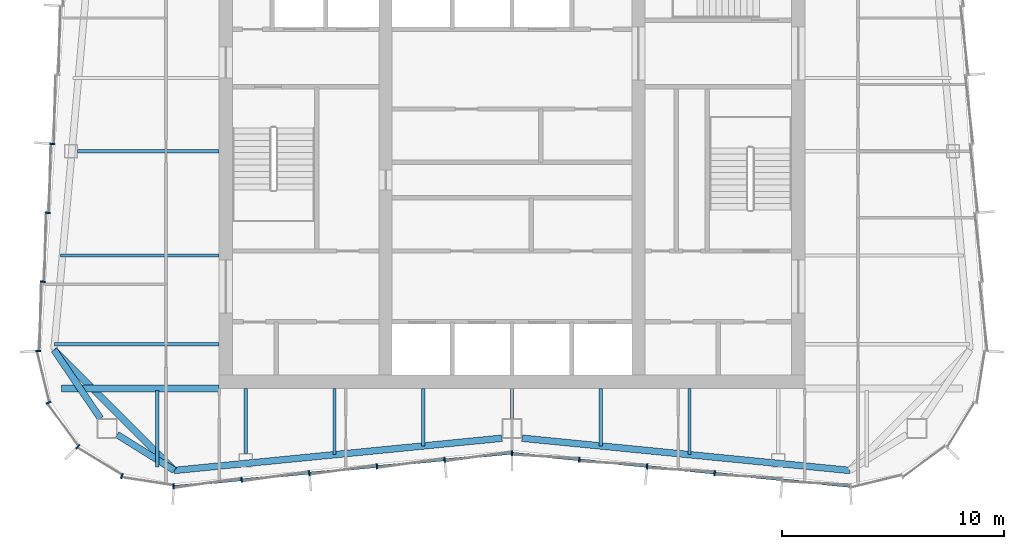
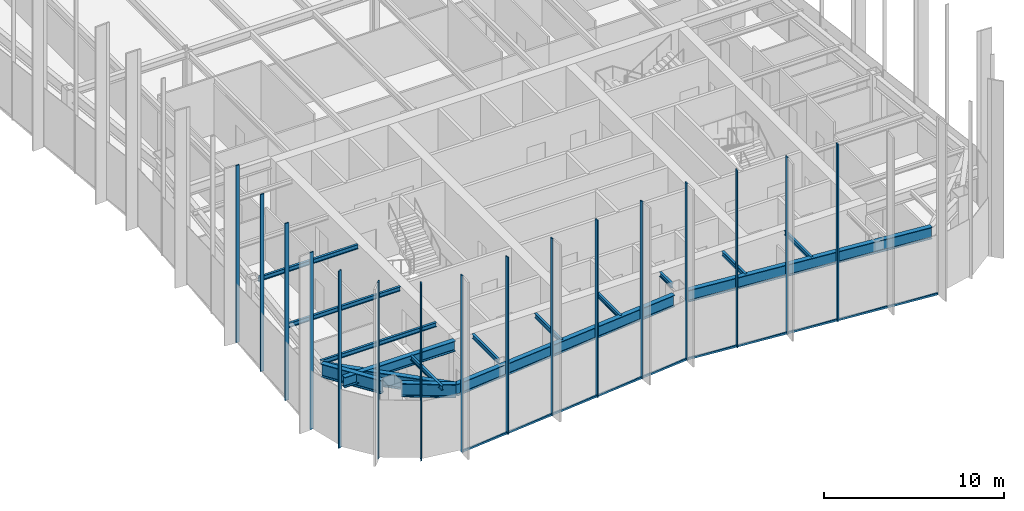
# One storey, part 3 of 13: 18 members, 16 beams, 3 elements without a shape of their own.
"""IFC4 building model written with IfcOpenShell, lengths in metres."""

from ifc_helpers import new_model, si_unit, direction, frame, origin, origin_2d, place, context, subcontext, project, spatial, rectangle, i_section, extrude, material, material_profile, profile_set, type_object, element, aggregate, save


model = new_model("IFC4")

# Units and contexts
model_context = context("Model", 3, precision=1e-05, world=origin(), true_north=direction((0.0, 1.0)))
body_context = subcontext(model_context, "Body", "Model", "MODEL_VIEW")
ifc_project = project(units=[si_unit("LENGTHUNIT", "METRE"), si_unit("AREAUNIT", "SQUARE_METRE"), si_unit("VOLUMEUNIT", "CUBIC_METRE"), si_unit("PLANEANGLEUNIT", "RADIAN"), si_unit("MASSUNIT", "GRAM", prefix="KILO")], contexts=[model_context])

# Site, building, storey
site_placement = place(None, origin())
site = spatial("IfcSite", under=ifc_project, at=site_placement, CompositionType="ELEMENT")
building_placement = place(site_placement, origin())
building = spatial("IfcBuilding", under=site, at=building_placement, Name="Verdant Reach Tower", CompositionType="ELEMENT")
storey_placement = place(building_placement, frame((0.0, 0.0, 294.0)))
storey = spatial("IfcBuildingStorey", under=building, at=storey_placement, Name="L67", CompositionType="ELEMENT", Elevation=294.0)

# Curtain wall, members
ifc_material_1 = material(Name="Anodised aluminium", Category="aluminium")
curtain_wall_type = type_object("IfcCurtainWallType", Name="EN-CW SYSTEM Z5", PredefinedType="NOTDEFINED", material=ifc_material_1)
curtain_wall_1_placement = place(storey_placement, origin())
curtain_wall_1 = element("IfcCurtainWall", 1, at=curtain_wall_1_placement, inside=storey, type_object=curtain_wall_type, Name="Curtain wall west, L67", PredefinedType="NOTDEFINED")
ifc_material_profile_1 = material_profile(ifc_material_1, rectangle(XDim=0.22998046875, YDim=0.070068359375, at=origin_2d()), Name="Mullion 70x230")
ifc_profile_set_1 = profile_set([ifc_material_profile_1], Name="Anodised aluminium")
member_type_1 = type_object("IfcMemberType", Name="EN-MULLION Z5", PredefinedType="MULLION", material=ifc_profile_set_1)
member_1_placement = place(storey_placement, frame((-20.721923828125, 28.829345703125, -0.35009765625), z_axis=(0.0, 0.0, 1.0), x_axis=(-0.997630328423, 0.068802091615, 0.0)))
member_1 = element("IfcMember", 2, at=member_1_placement, type_object=member_type_1, Name="Mullion west face part 2 5, L67", PredefinedType="MULLION", context=body_context, shape_type="SweptSolid", body=[
    extrude(rectangle(XDim=0.22998046875, YDim=0.070068359375, at=origin_2d()), origin(), (0.0, 0.0, 1.0), 12.0),
])
member_2_placement = place(storey_placement, frame((-20.93603515625, 25.72216796875, -0.35009765625), z_axis=(0.0, 0.0, 1.0), x_axis=(-0.997630328423, 0.068802091615, 0.0)))
member_2 = element("IfcMember", 3, at=member_2_placement, type_object=member_type_1, Name="Mullion west face part 2 6, L67", PredefinedType="MULLION", context=body_context, shape_type="SweptSolid", body=[
    extrude(rectangle(XDim=0.22998046875, YDim=0.070068359375, at=origin_2d()), origin(), (0.0, 0.0, 1.0), 12.0),
])
member_3_placement = place(storey_placement, frame((-21.150390625, 22.614990234375, -0.35009765625), z_axis=(0.0, 0.0, 1.0), x_axis=(-0.997630328423, 0.068802091615, 0.0)))
member_3 = element("IfcMember", 4, at=member_3_placement, type_object=member_type_1, Name="Mullion west face part 2 7, L67", PredefinedType="MULLION", context=body_context, shape_type="SweptSolid", body=[
    extrude(rectangle(XDim=0.22998046875, YDim=0.070068359375, at=origin_2d()), origin(), (0.0, 0.0, 1.0), 12.0),
])
aggregate(curtain_wall_1, [member_1, member_2, member_3])

curtain_wall_2_placement = place(storey_placement, origin())
curtain_wall_2 = element("IfcCurtainWall", 5, at=curtain_wall_2_placement, inside=storey, type_object=curtain_wall_type, Name="Curtain wall south-west corner, L67", PredefinedType="NOTDEFINED")
member_4_placement = place(storey_placement, frame((-21.36474609375, 19.49267578125, -0.35009765625), z_axis=(0.0, 0.0, 1.0), x_axis=(-0.997969180898, -0.063698618332, 0.0)))
member_4 = element("IfcMember", 6, at=member_4_placement, type_object=member_type_1, Name="Mullion south-west corner 1, L67", PredefinedType="MULLION", context=body_context, shape_type="SweptSolid", body=[
    extrude(rectangle(XDim=0.22998046875, YDim=0.070068359375, at=origin_2d()), origin(), (0.0, 0.0, 1.0), 12.0),
])
member_5_placement = place(storey_placement, frame((-20.899658203125, 17.159912109375, -0.35009765625), z_axis=(0.0, 0.0, 1.0), x_axis=(-0.923875215753, -0.382693853776, 0.0)))
member_5 = element("IfcMember", 7, at=member_5_placement, type_object=member_type_1, Name="Mullion south-west corner 2, L67", PredefinedType="MULLION", context=body_context, shape_type="SweptSolid", body=[
    extrude(rectangle(XDim=0.22998046875, YDim=0.070068359375, at=origin_2d()), origin(), (0.0, 0.0, 1.0), 12.0),
])
member_6_placement = place(storey_placement, frame((-19.573974609375, 15.176025390625, -0.35009765625), z_axis=(0.0, 0.0, 1.0), x_axis=(-0.707106781187, -0.707106781187, 0.0)))
member_6 = element("IfcMember", 8, at=member_6_placement, type_object=member_type_1, Name="Mullion south-west corner 3, L67", PredefinedType="MULLION", context=body_context, shape_type="SweptSolid", body=[
    extrude(rectangle(XDim=0.22998046875, YDim=0.070068359375, at=origin_2d()), origin(), (0.0, 0.0, 1.0), 12.0),
])
member_7_placement = place(storey_placement, frame((-17.590087890625, 13.850341796875, -0.35009765625), z_axis=(0.0, 0.0, 1.0), x_axis=(-0.382693853776, -0.923875215753, 0.0)))
member_7 = element("IfcMember", 9, at=member_7_placement, type_object=member_type_1, Name="Mullion south-west corner 4, L67", PredefinedType="MULLION", context=body_context, shape_type="SweptSolid", body=[
    extrude(rectangle(XDim=0.22998046875, YDim=0.070068359375, at=origin_2d()), origin(), (0.0, 0.0, 1.0), 12.0),
])
aggregate(curtain_wall_2, [member_4, member_5, member_6, member_7])

curtain_wall_3_placement = place(storey_placement, origin())
curtain_wall_3 = element("IfcCurtainWall", 10, at=curtain_wall_3_placement, inside=storey, type_object=curtain_wall_type, Name="Curtain wall south, L67", PredefinedType="NOTDEFINED")
member_8_placement = place(storey_placement, frame((-15.255615234375, 13.38525390625, -0.35009765625), z_axis=(0.0, 0.0, 1.0), x_axis=(-0.049127596288, -0.998792510626, 0.0)))
member_8 = element("IfcMember", 11, at=member_8_placement, type_object=member_type_1, Name="Mullion south face part 1 1, L67", PredefinedType="MULLION", context=body_context, shape_type="SweptSolid", body=[
    extrude(rectangle(XDim=0.22998046875, YDim=0.070068359375, at=origin_2d()), origin(), (0.0, 0.0, 1.0), 12.0),
])
member_9_placement = place(storey_placement, frame((-12.188720703125, 13.685546875, -0.35009765625), z_axis=(0.0, 0.0, 1.0), x_axis=(0.09788826992, -0.995197410875, 0.0)))
member_9 = element("IfcMember", 12, at=member_9_placement, type_object=member_type_1, Name="Mullion south face part 1 2, L67", PredefinedType="MULLION", context=body_context, shape_type="SweptSolid", body=[
    extrude(rectangle(XDim=0.22998046875, YDim=0.070068359375, at=origin_2d()), origin(), (0.0, 0.0, 1.0), 12.0),
])
member_10_placement = place(storey_placement, frame((-9.138671875, 13.985595703125, -0.35009765625), z_axis=(0.0, 0.0, 1.0), x_axis=(0.09788826992, -0.995197410875, 0.0)))
member_10 = element("IfcMember", 13, at=member_10_placement, type_object=member_type_1, Name="Mullion south face part 1 3, L67", PredefinedType="MULLION", context=body_context, shape_type="SweptSolid", body=[
    extrude(rectangle(XDim=0.22998046875, YDim=0.070068359375, at=origin_2d()), origin(), (0.0, 0.0, 1.0), 12.0),
])
member_11_placement = place(storey_placement, frame((-6.088623046875, 14.28564453125, -0.35009765625), z_axis=(0.0, 0.0, 1.0), x_axis=(0.09788826992, -0.995197410875, 0.0)))
member_11 = element("IfcMember", 14, at=member_11_placement, type_object=member_type_1, Name="Mullion south face part 1 4, L67", PredefinedType="MULLION", context=body_context, shape_type="SweptSolid", body=[
    extrude(rectangle(XDim=0.22998046875, YDim=0.070068359375, at=origin_2d()), origin(), (0.0, 0.0, 1.0), 12.0),
])
member_12_placement = place(storey_placement, frame((-3.038818359375, 14.58544921875, -0.35009765625), z_axis=(0.0, 0.0, 1.0), x_axis=(0.09788826992, -0.995197410875, 0.0)))
member_12 = element("IfcMember", 15, at=member_12_placement, type_object=member_type_1, Name="Mullion south face part 1 5, L67", PredefinedType="MULLION", context=body_context, shape_type="SweptSolid", body=[
    extrude(rectangle(XDim=0.22998046875, YDim=0.070068359375, at=origin_2d()), origin(), (0.0, 0.0, 1.0), 12.0),
])
member_13_placement = place(storey_placement, frame((0.0, 14.885009765625, -0.35009765625), z_axis=(0.0, 0.0, 1.0), x_axis=(0.0, -1.0, 0.0)))
member_13 = element("IfcMember", 16, at=member_13_placement, type_object=member_type_1, Name="Mullion south face part 2 1, L67", PredefinedType="MULLION", context=body_context, shape_type="SweptSolid", body=[
    extrude(rectangle(XDim=0.22998046875, YDim=0.070068359375, at=origin_2d()), origin(), (0.0, 0.0, 1.0), 12.0),
])
member_14_placement = place(storey_placement, frame((3.038818359375, 14.58544921875, -0.35009765625), z_axis=(0.0, 0.0, 1.0), x_axis=(-0.09788826992, -0.995197410875, 0.0)))
member_14 = element("IfcMember", 17, at=member_14_placement, type_object=member_type_1, Name="Mullion south face part 2 2, L67", PredefinedType="MULLION", context=body_context, shape_type="SweptSolid", body=[
    extrude(rectangle(XDim=0.22998046875, YDim=0.070068359375, at=origin_2d()), origin(), (0.0, 0.0, 1.0), 12.0),
])
member_15_placement = place(storey_placement, frame((6.088623046875, 14.28564453125, -0.35009765625), z_axis=(0.0, 0.0, 1.0), x_axis=(-0.09788826992, -0.995197410875, 0.0)))
member_15 = element("IfcMember", 18, at=member_15_placement, type_object=member_type_1, Name="Mullion south face part 2 3, L67", PredefinedType="MULLION", context=body_context, shape_type="SweptSolid", body=[
    extrude(rectangle(XDim=0.22998046875, YDim=0.070068359375, at=origin_2d()), origin(), (0.0, 0.0, 1.0), 12.0),
])
member_16_placement = place(storey_placement, frame((9.138671875, 13.985595703125, -0.35009765625), z_axis=(0.0, 0.0, 1.0), x_axis=(-0.09788826992, -0.995197410875, 0.0)))
member_16 = element("IfcMember", 19, at=member_16_placement, type_object=member_type_1, Name="Mullion south face part 2 4, L67", PredefinedType="MULLION", context=body_context, shape_type="SweptSolid", body=[
    extrude(rectangle(XDim=0.22998046875, YDim=0.070068359375, at=origin_2d()), origin(), (0.0, 0.0, 1.0), 12.0),
])
ifc_material_profile_2 = material_profile(ifc_material_1, rectangle(XDim=0.10009765625, YDim=0.1298828125, at=origin_2d()), Name="Transom 130x100")
ifc_profile_set_2 = profile_set([ifc_material_profile_2], Name="Anodised aluminium")
member_type_2 = type_object("IfcMemberType", Name="EN-TRANSOM Z5", PredefinedType="USERDEFINED", material=ifc_profile_set_2)
member_17_placement = place(storey_placement, frame((-15.220703125, 13.388671875, -0.284912109375), z_axis=(0.99520229006, 0.097838652171, 0.0), x_axis=(-0.097838652171, 0.99520229006, 0.0)))
member_17 = element("IfcMember", 20, at=member_17_placement, type_object=member_type_2, Name="Transom south face part 1 1.1, L67", ObjectType="TRANSOM", PredefinedType="USERDEFINED", context=body_context, shape_type="SweptSolid", body=[
    extrude(rectangle(XDim=0.10009765625, YDim=0.1298828125, at=origin_2d()), origin(), (0.0, 0.0, 1.0), 15.259033203125),
])
member_18_placement = place(storey_placement, frame((0.034912109375, 14.881591796875, -0.284912109375), z_axis=(0.99520229006, -0.097838652171, 0.0), x_axis=(0.097838652171, 0.99520229006, 0.0)))
member_18 = element("IfcMember", 21, at=member_18_placement, type_object=member_type_2, Name="Transom south face part 2 1.1, L67", ObjectType="TRANSOM", PredefinedType="USERDEFINED", context=body_context, shape_type="SweptSolid", body=[
    extrude(rectangle(XDim=0.10009765625, YDim=0.1298828125, at=origin_2d()), origin(), (0.0, 0.0, 1.0), 15.259033203125),
])
aggregate(curtain_wall_3, [member_8, member_9, member_10, member_11, member_12, member_17, member_13, member_14, member_15, member_16, member_18])

# Beams
ifc_material_2 = material(Name="Steel S355", Category="steel")
ifc_material_profile_3 = material_profile(ifc_material_2, i_section(OverallWidth=0.300048828125, OverallDepth=0.699951171875, WebThickness=0.01708984375, FlangeThickness=0.031982421875, FilletRadius=0.027099609375, at=origin_2d()), Name="HEB 700")
ifc_profile_set_3 = profile_set([ifc_material_profile_3], Name="Steel S355")
beam_type_1 = type_object("IfcBeamType", Name="ST-BEAM-HEB700", PredefinedType="BEAM", material=ifc_profile_set_3)
beam_1_placement = place(storey_placement, frame((-13.199951171875, 17.800048828125, 3.52001953125), z_axis=(-1.0, 0.0, 0.0), x_axis=(0.0, -1.0, 0.0)))
element("IfcBeam", 22, at=beam_1_placement, inside=storey, type_object=beam_type_1, Name="Trimmer beam, L67", PredefinedType="BEAM", context=body_context, shape_type="SweptSolid", body=[
    extrude(i_section(OverallWidth=0.300048828125, OverallDepth=0.699951171875, WebThickness=0.01708984375, FlangeThickness=0.031982421875, FilletRadius=0.027099609375, at=origin_2d()), origin(), (0.0, 0.0, 1.0), 7.10009765625),
])
ifc_material_profile_4 = material_profile(ifc_material_2, i_section(OverallWidth=0.302001953125, OverallDepth=0.909912109375, WebThickness=0.02099609375, FlangeThickness=0.0400390625, FilletRadius=0.030029296875, at=origin_2d()), Name="HEM 900")
ifc_profile_set_4 = profile_set([ifc_material_profile_4], Name="Steel S355")
beam_type_2 = type_object("IfcBeamType", Name="ST-BEAM-HEM900", PredefinedType="BEAM", material=ifc_profile_set_4)
beam_2_placement = place(storey_placement, frame((-17.800048828125, 15.71875, 3.4150390625), z_axis=(0.847903624467, -0.530150397166, 0.0), x_axis=(0.530150397166, 0.847903624467, 0.0)))
element("IfcBeam", 23, at=beam_2_placement, inside=storey, type_object=beam_type_2, Name="Column stub beam, L67", PredefinedType="BEAM", context=body_context, shape_type="SweptSolid", body=[
    extrude(i_section(OverallWidth=0.302001953125, OverallDepth=0.909912109375, WebThickness=0.02099609375, FlangeThickness=0.0400390625, FilletRadius=0.030029296875, at=origin_2d()), origin(), (0.0, 0.0, 1.0), 3.042724609375),
])
beam_3_placement = place(storey_placement, frame((-18.5546875, 16.449951171875, 3.4150390625), z_axis=(-0.560667226688, 0.828041219335, 0.0), x_axis=(-0.828041219335, -0.560667226688, 0.0)))
element("IfcBeam", 24, at=beam_3_placement, inside=storey, type_object=beam_type_2, Name="Column stub beam, L67", PredefinedType="BEAM", context=body_context, shape_type="SweptSolid", body=[
    extrude(i_section(OverallWidth=0.302001953125, OverallDepth=0.909912109375, WebThickness=0.02099609375, FlangeThickness=0.0400390625, FilletRadius=0.030029296875, at=origin_2d()), origin(), (0.0, 0.0, 1.0), 3.72998046875),
])
ifc_material_profile_5 = material_profile(ifc_material_2, i_section(OverallWidth=0.14990234375, OverallDepth=0.300048828125, WebThickness=0.007080078125, FlangeThickness=0.0107421875, FilletRadius=0.014892578125, at=origin_2d()), Name="IPE 300")
ifc_profile_set_5 = profile_set([ifc_material_profile_5], Name="Steel S355")
beam_type_3 = type_object("IfcBeamType", Name="ST-JOIST-IPE300", PredefinedType="JOIST", material=ifc_profile_set_5)
beam_4_placement = place(storey_placement, frame((-16.0, 17.699951171875, 3.719970703125), z_axis=(0.0, -1.0, 0.0), x_axis=(1.0, 0.0, 0.0)))
element("IfcBeam", 25, at=beam_4_placement, inside=storey, type_object=beam_type_3, Name="Floor joist, L67", PredefinedType="JOIST", context=body_context, shape_type="SweptSolid", body=[
    extrude(i_section(OverallWidth=0.14990234375, OverallDepth=0.300048828125, WebThickness=0.007080078125, FlangeThickness=0.0107421875, FilletRadius=0.014892578125, at=origin_2d()), origin(), (0.0, 0.0, 1.0), 3.43896484375),
])
beam_5_placement = place(storey_placement, frame((-12.0, 17.800048828125, 3.719970703125), z_axis=(0.0, -1.0, 0.0), x_axis=(1.0, 0.0, 0.0)))
element("IfcBeam", 26, at=beam_5_placement, inside=storey, type_object=beam_type_3, Name="Floor joist, L67", PredefinedType="JOIST", context=body_context, shape_type="SweptSolid", body=[
    extrude(i_section(OverallWidth=0.14990234375, OverallDepth=0.300048828125, WebThickness=0.007080078125, FlangeThickness=0.0107421875, FilletRadius=0.014892578125, at=origin_2d()), origin(), (0.0, 0.0, 1.0), 2.930419921875),
])
beam_6_placement = place(storey_placement, frame((-8.0, 17.800048828125, 3.719970703125), z_axis=(0.0, -1.0, 0.0), x_axis=(1.0, 0.0, 0.0)))
element("IfcBeam", 27, at=beam_6_placement, inside=storey, type_object=beam_type_3, Name="Floor joist, L67", PredefinedType="JOIST", context=body_context, shape_type="SweptSolid", body=[
    extrude(i_section(OverallWidth=0.14990234375, OverallDepth=0.300048828125, WebThickness=0.007080078125, FlangeThickness=0.0107421875, FilletRadius=0.014892578125, at=origin_2d()), origin(), (0.0, 0.0, 1.0), 2.984130859375),
])
beam_7_placement = place(storey_placement, frame((-4.0, 17.800048828125, 3.719970703125), z_axis=(0.0, -1.0, 0.0), x_axis=(1.0, 0.0, 0.0)))
element("IfcBeam", 28, at=beam_7_placement, inside=storey, type_object=beam_type_3, Name="Floor joist, L67", PredefinedType="JOIST", context=body_context, shape_type="SweptSolid", body=[
    extrude(i_section(OverallWidth=0.14990234375, OverallDepth=0.300048828125, WebThickness=0.007080078125, FlangeThickness=0.0107421875, FilletRadius=0.014892578125, at=origin_2d()), origin(), (0.0, 0.0, 1.0), 2.590576171875),
])
beam_8_placement = place(storey_placement, frame((0.0, 17.800048828125, 3.719970703125), z_axis=(0.0, -1.0, 0.0), x_axis=(1.0, 0.0, 0.0)))
element("IfcBeam", 29, at=beam_8_placement, inside=storey, type_object=beam_type_3, Name="Floor joist, L67", PredefinedType="JOIST", context=body_context, shape_type="SweptSolid", body=[
    extrude(i_section(OverallWidth=0.14990234375, OverallDepth=0.300048828125, WebThickness=0.007080078125, FlangeThickness=0.0107421875, FilletRadius=0.014892578125, at=origin_2d()), origin(), (0.0, 0.0, 1.0), 1.35009765625),
])
beam_9_placement = place(storey_placement, frame((4.0, 17.800048828125, 3.719970703125), z_axis=(0.0, -1.0, 0.0), x_axis=(1.0, 0.0, 0.0)))
element("IfcBeam", 30, at=beam_9_placement, inside=storey, type_object=beam_type_3, Name="Floor joist, L67", PredefinedType="JOIST", context=body_context, shape_type="SweptSolid", body=[
    extrude(i_section(OverallWidth=0.14990234375, OverallDepth=0.300048828125, WebThickness=0.007080078125, FlangeThickness=0.0107421875, FilletRadius=0.014892578125, at=origin_2d()), origin(), (0.0, 0.0, 1.0), 2.590576171875),
])
beam_10_placement = place(storey_placement, frame((8.0, 17.800048828125, 3.719970703125), z_axis=(0.0, -1.0, 0.0), x_axis=(1.0, 0.0, 0.0)))
element("IfcBeam", 31, at=beam_10_placement, inside=storey, type_object=beam_type_3, Name="Floor joist, L67", PredefinedType="JOIST", context=body_context, shape_type="SweptSolid", body=[
    extrude(i_section(OverallWidth=0.14990234375, OverallDepth=0.300048828125, WebThickness=0.007080078125, FlangeThickness=0.0107421875, FilletRadius=0.014892578125, at=origin_2d()), origin(), (0.0, 0.0, 1.0), 2.984130859375),
])
beam_11_placement = place(storey_placement, frame((-13.199951171875, 19.800048828125, 3.719970703125), z_axis=(-1.0, 0.0, 0.0), x_axis=(0.0, -1.0, 0.0)))
element("IfcBeam", 32, at=beam_11_placement, inside=storey, type_object=beam_type_3, Name="Floor joist, L67", PredefinedType="JOIST", context=body_context, shape_type="SweptSolid", body=[
    extrude(i_section(OverallWidth=0.14990234375, OverallDepth=0.300048828125, WebThickness=0.007080078125, FlangeThickness=0.0107421875, FilletRadius=0.014892578125, at=origin_2d()), origin(), (0.0, 0.0, 1.0), 7.427978515625),
])
beam_12_placement = place(storey_placement, frame((-13.199951171875, 23.800048828125, 3.719970703125), z_axis=(-1.0, 0.0, 0.0), x_axis=(0.0, -1.0, 0.0)))
element("IfcBeam", 33, at=beam_12_placement, inside=storey, type_object=beam_type_3, Name="Floor joist, L67", PredefinedType="JOIST", context=body_context, shape_type="SweptSolid", body=[
    extrude(i_section(OverallWidth=0.14990234375, OverallDepth=0.300048828125, WebThickness=0.007080078125, FlangeThickness=0.0107421875, FilletRadius=0.014892578125, at=origin_2d()), origin(), (0.0, 0.0, 1.0), 7.152099609375),
])
beam_13_placement = place(storey_placement, frame((-13.199951171875, 28.5, 3.719970703125), z_axis=(-1.0, 0.0, 0.0), x_axis=(0.0, -1.0, 0.0)))
element("IfcBeam", 34, at=beam_13_placement, inside=storey, type_object=beam_type_3, Name="Floor joist, L67", PredefinedType="JOIST", context=body_context, shape_type="SweptSolid", body=[
    extrude(i_section(OverallWidth=0.14990234375, OverallDepth=0.300048828125, WebThickness=0.007080078125, FlangeThickness=0.0107421875, FilletRadius=0.014892578125, at=origin_2d()), origin(), (0.0, 0.0, 1.0), 6.37939453125),
])
ifc_material_profile_6 = material_profile(ifc_material_2, i_section(OverallWidth=0.300048828125, OverallDepth=0.800048828125, WebThickness=0.017578125, FlangeThickness=0.032958984375, FilletRadius=0.030029296875, at=origin_2d()), Name="HEB 800")
ifc_profile_set_6 = profile_set([ifc_material_profile_6], Name="Steel S355")
beam_type_4 = type_object("IfcBeamType", Name="ST-SPANDREL-HEB800", PredefinedType="SPANDREL", material=ifc_profile_set_6)
for number, where, z_axis, x_axis, name in (
    (35, (15.22021484375, 14.105712890625, 3.469970703125), (-0.995196964263, 0.097892810366, 0.0), (-0.097892810366, -0.995196964263, 0.0), "Edge beam, L67"),
    (36, (-0.449951171875, 15.55859375, 3.469970703125), (-0.995196964263, -0.097892810366, 0.0), (0.097892810366, -0.995196964263, 0.0), "Edge beam, L67"),
):
    element("IfcBeam", number, at=place(storey_placement, frame(where, z_axis=z_axis, x_axis=x_axis)), inside=storey, type_object=beam_type_4, Name=name, PredefinedType="SPANDREL", context=body_context, shape_type="SweptSolid", body=[
        extrude(i_section(OverallWidth=0.300048828125, OverallDepth=0.800048828125, WebThickness=0.017578125, FlangeThickness=0.032958984375, FilletRadius=0.030029296875, at=origin_2d()), origin(), (0.0, 0.0, 1.0), 14.841552734375),
    ])
ifc_material_profile_7 = material_profile(ifc_material_2, i_section(OverallWidth=0.302001953125, OverallDepth=0.909912109375, WebThickness=0.02099609375, FlangeThickness=0.0400390625, FilletRadius=0.030029296875, at=origin_2d()), Name="HEM 900")
ifc_profile_set_7 = profile_set([ifc_material_profile_7], Name="Steel S355")
beam_type_5 = type_object("IfcBeamType", Name="ST-SPANDREL-HEM900", PredefinedType="SPANDREL", material=ifc_profile_set_7)
beam_14_placement = place(storey_placement, frame((-15.22021484375, 14.105712890625, 3.4150390625), z_axis=(-0.706645581521, 0.707567680237, 0.0), x_axis=(-0.707567680237, -0.706645581521, 0.0)))
element("IfcBeam", 37, at=beam_14_placement, inside=storey, type_object=beam_type_5, Name="Edge beam, L67", PredefinedType="SPANDREL", context=body_context, shape_type="SweptSolid", body=[
    extrude(i_section(OverallWidth=0.302001953125, OverallDepth=0.909912109375, WebThickness=0.02099609375, FlangeThickness=0.0400390625, FilletRadius=0.030029296875, at=origin_2d()), origin(), (0.0, 0.0, 1.0), 7.67822265625),
])

save(model, "model.ifc")
